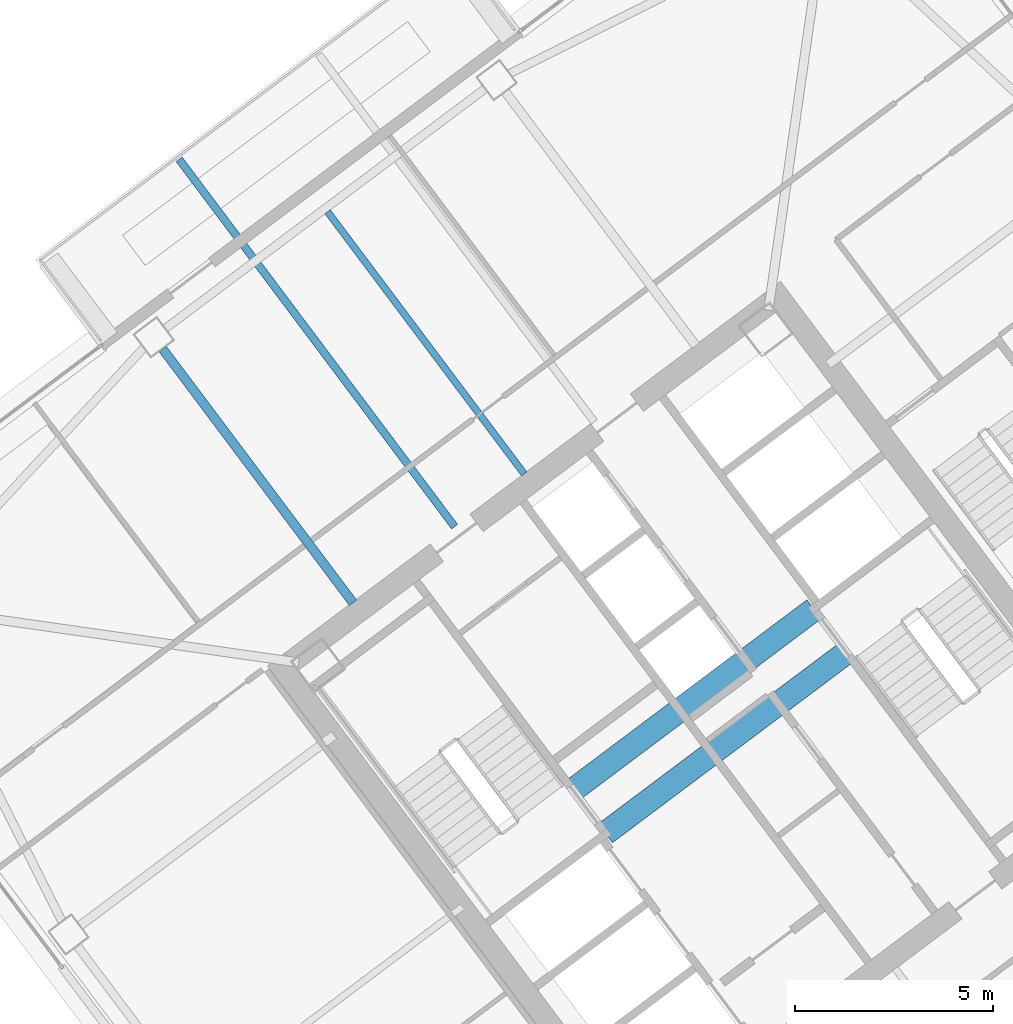
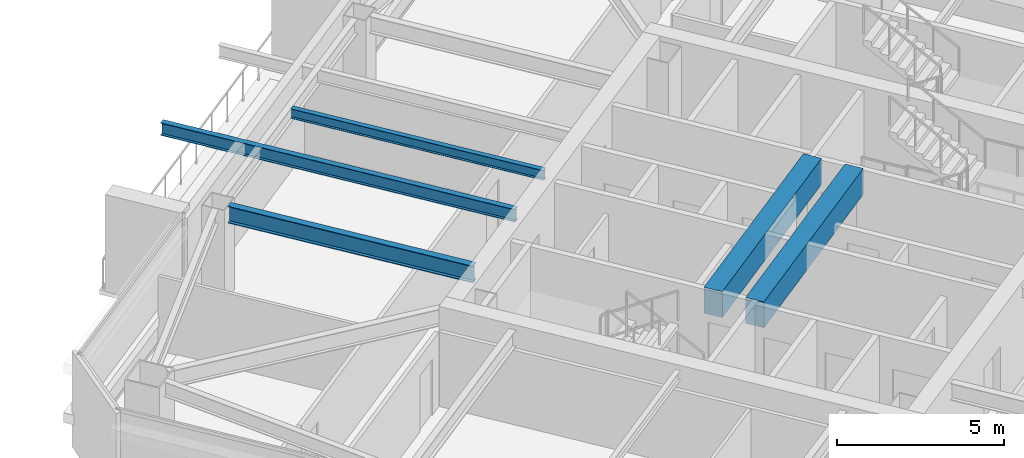
# One storey, part 23 of 41: 5 beams.
"""IFC4 building model written with IfcOpenShell, lengths in metres."""

from ifc_helpers import new_model, si_unit, direction, frame, origin, origin_2d, place, context, subcontext, project, spatial, rectangle, i_section, extrude, material, material_profile, profile_set, type_object, element, save


model = new_model("IFC4")

# Units and contexts
model_context = context("Model", 3, precision=1e-05, world=origin(), true_north=direction((0.0, 1.0)))
body_context = subcontext(model_context, "Body", "Model", "MODEL_VIEW")
ifc_project = project(units=[si_unit("LENGTHUNIT", "METRE"), si_unit("AREAUNIT", "SQUARE_METRE"), si_unit("VOLUMEUNIT", "CUBIC_METRE"), si_unit("PLANEANGLEUNIT", "RADIAN"), si_unit("MASSUNIT", "GRAM", prefix="KILO")], contexts=[model_context])

# Site, building, storey
site_placement = place(None, origin())
site = spatial("IfcSite", under=ifc_project, at=site_placement, CompositionType="ELEMENT")
building_placement = place(site_placement, origin())
building = spatial("IfcBuilding", under=site, at=building_placement, Name="Tashvorn Skyway Center", CompositionType="ELEMENT")
storey_placement = place(building_placement, frame((0.0, 0.0, 192.5)))
storey = spatial("IfcBuildingStorey", under=building, at=storey_placement, Name="L52", CompositionType="ELEMENT", Elevation=192.5)

# Beams
ifc_material_1 = material(Name="Steel ASTM A992 Grade 50", Category="steel")
ifc_material_profile_1 = material_profile(ifc_material_1, i_section(OverallWidth=0.22998046875, OverallDepth=0.616943359375, WebThickness=0.01318359375, FlangeThickness=0.022216796875, at=origin_2d()), Name="W24X94")
ifc_profile_set_1 = profile_set([ifc_material_profile_1], Name="Steel ASTM A992 Grade 50")
beam_type_1 = type_object("IfcBeamType", Name="BM-BEAM-W24X94", PredefinedType="BEAM", material=ifc_profile_set_1)
beam_1_placement = place(storey_placement, frame((100.2119140625, 41.384033203125, 3.0615234375), z_axis=(0.599995117266, -0.800003662027, 0.0), x_axis=(0.800003662027, 0.599995117266, 0.0)))
element("IfcBeam", 1, at=beam_1_placement, inside=storey, type_object=beam_type_1, Name="Tower 2 L52 Primary Floor Girder FC-N2", PredefinedType="BEAM", context=body_context, shape_type="SweptSolid", body=[
    extrude(i_section(OverallWidth=0.22998046875, OverallDepth=0.616943359375, WebThickness=0.01318359375, FlangeThickness=0.022216796875, at=origin_2d()), origin(), (0.0, 0.0, 1.0), 8.000244140625),
])
ifc_material_profile_2 = material_profile(ifc_material_1, i_section(OverallWidth=0.1708984375, OverallDepth=0.35498046875, WebThickness=0.007080078125, FlangeThickness=0.01171875, at=origin_2d()), Name="W14X34")
ifc_profile_set_2 = profile_set([ifc_material_profile_2], Name="Steel ASTM A992 Grade 50")
beam_type_2 = type_object("IfcBeamType", Name="BM-JOIST-W14X34", PredefinedType="JOIST", material=ifc_profile_set_2)
beam_2_placement = place(storey_placement, frame((109.325927734375, 38.23193359375, 3.1923828125), z_axis=(-0.59999527236, 0.800003545708, 0.0), x_axis=(-0.800003545708, -0.59999527236, 0.0)))
element("IfcBeam", 2, at=beam_2_placement, inside=storey, type_object=beam_type_2, Name="Tower 2 L52 Secondary Composite Joist JN", PredefinedType="JOIST", context=body_context, shape_type="SweptSolid", body=[
    extrude(i_section(OverallWidth=0.1708984375, OverallDepth=0.35498046875, WebThickness=0.007080078125, FlangeThickness=0.01171875, at=origin_2d()), origin(), (0.0, 0.0, 1.0), 8.2626953125),
])
ifc_material_profile_3 = material_profile(ifc_material_1, i_section(OverallWidth=0.19091796875, OverallDepth=0.4599609375, WebThickness=0.010009765625, FlangeThickness=0.01611328125, at=origin_2d()), Name="W18X55")
ifc_profile_set_3 = profile_set([ifc_material_profile_3], Name="Steel ASTM A992 Grade 50")
beam_type_3 = type_object("IfcBeamType", Name="BM-JOIST-W18X55", PredefinedType="JOIST", material=ifc_profile_set_3)
beam_3_placement = place(storey_placement, frame((107.572021484375, 36.904052734375, 3.139892578125), z_axis=(-0.600013504702, 0.799989871295, 0.0), x_axis=(-0.799989871295, -0.600013504702, 0.0)))
element("IfcBeam", 3, at=beam_3_placement, inside=storey, type_object=beam_type_3, Name="Tower 2 L53 Terrace Cantilever Outlooker 1", PredefinedType="JOIST", context=body_context, shape_type="SweptSolid", body=[
    extrude(i_section(OverallWidth=0.19091796875, OverallDepth=0.4599609375, WebThickness=0.010009765625, FlangeThickness=0.01611328125, at=origin_2d()), origin(), (0.0, 0.0, 1.0), 11.570068359375),
])
ifc_material_2 = material(Name="Concrete C60/75", Category="concrete")
ifc_material_profile_4 = material_profile(ifc_material_2, rectangle(XDim=0.60009765625, YDim=0.949951171875, at=origin_2d()), Name="RCB600x950")
ifc_profile_set_4 = profile_set([ifc_material_profile_4], Name="Concrete C60/75")
beam_type_4 = type_object("IfcBeamType", Name="BM-LINTEL-RCB600x950", PredefinedType="LINTEL", material=ifc_profile_set_4)
for number, where, z_axis, x_axis, name in (
    (4, (110.552001953125, 30.263916015625, 2.89501953125), (0.8, 0.6, 0.0), (-0.6, 0.8, 0.0), "Tower 2 L52 Core Coupling Beam CN"),
    (5, (111.367919921875, 29.176025390625, 2.89501953125), (0.8, 0.6, 0.0), (-0.6, 0.8, 0.0), "Tower 2 L52 Core Coupling Beam CS"),
):
    element("IfcBeam", number, at=place(storey_placement, frame(where, z_axis=z_axis, x_axis=x_axis)), inside=storey, type_object=beam_type_4, Name=name, PredefinedType="LINTEL", context=body_context, shape_type="SweptSolid", body=[
        extrude(rectangle(XDim=0.60009765625, YDim=0.949951171875, at=origin_2d()), origin(), (0.0, 0.0, 1.0), 7.60009765625),
    ])

save(model, "model.ifc")
